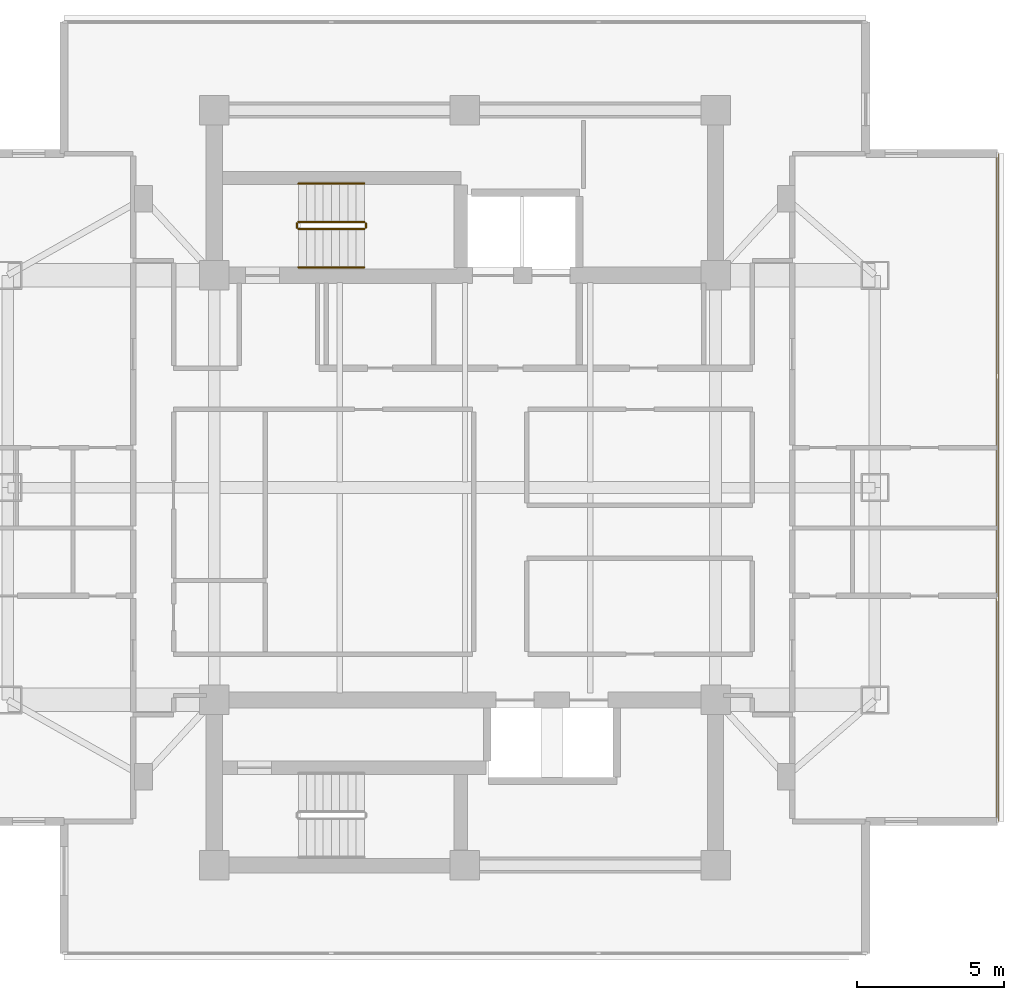
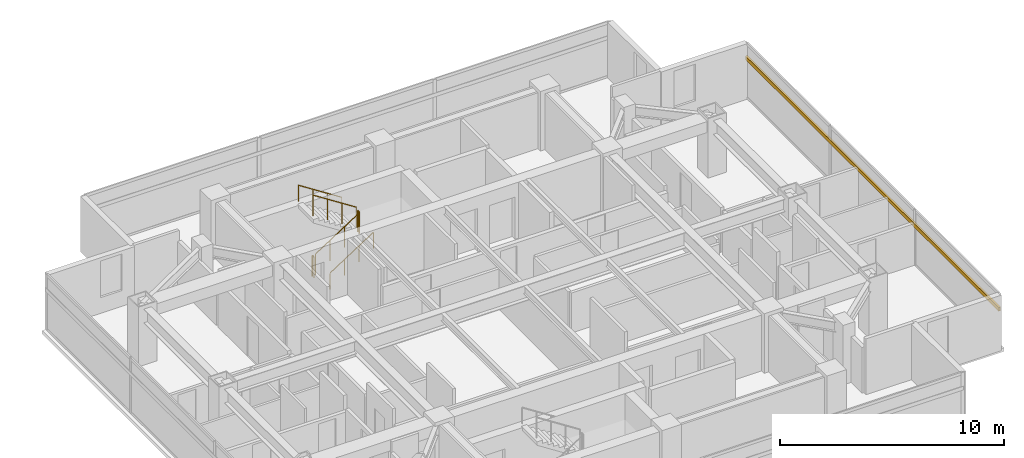
# One storey, part 24 of 25: 6 railings, 1 shading device.
"""IFC4 building model written with IfcOpenShell, lengths in metres."""

from ifc_helpers import new_model, si_unit, direction, frame, origin, origin_2d, place, context, subcontext, project, spatial, rectangle, circle, extrude, material, material_profile, profile_set, type_object, element, save


model = new_model("IFC4")

# Units and contexts
model_context = context("Model", 3, precision=1e-05, world=origin(), true_north=direction((0.0, 1.0)))
body_context = subcontext(model_context, "Body", "Model", "MODEL_VIEW")
ifc_project = project(units=[si_unit("LENGTHUNIT", "METRE"), si_unit("AREAUNIT", "SQUARE_METRE"), si_unit("VOLUMEUNIT", "CUBIC_METRE"), si_unit("PLANEANGLEUNIT", "RADIAN"), si_unit("MASSUNIT", "GRAM", prefix="KILO")], contexts=[model_context])

# Site, building, storey
site_placement = place(None, origin())
site = spatial("IfcSite", under=ifc_project, at=site_placement, CompositionType="ELEMENT")
building_placement = place(site_placement, origin())
building = spatial("IfcBuilding", under=site, at=building_placement, Name="Mirazonda Arch Towers", CompositionType="ELEMENT")
storey_placement = place(building_placement, frame((0.0, 0.0, 173.89990234375)))
storey = spatial("IfcBuildingStorey", under=building, at=storey_placement, Name="L49", CompositionType="ELEMENT", Elevation=173.89990234375)

# Shading device
ifc_material_1 = material(Name="Kiln-Fired Architectural Terracotta", Category="masonry")
ifc_material_profile = material_profile(ifc_material_1, rectangle(XDim=0.10009765625, YDim=0.199951171875, at=origin_2d()), Name="TERRA-BAG-100x200")
ifc_profile_set = profile_set([ifc_material_profile], Name="Kiln-Fired Architectural Terracotta")
shading_device_type = type_object("IfcShadingDeviceType", Name="BAGUETTE-2", PredefinedType="USERDEFINED", material=ifc_profile_set)
shading_device_placement = place(storey_placement, frame((94.560546875, 16.673828125, 2.181640625), z_axis=(0.0, 1.0, 0.0), x_axis=(-1.0, 0.0, 0.0)))
element("IfcShadingDevice", 1, at=shading_device_placement, inside=storey, type_object=shading_device_type, Name="L49 Glazed Terracotta Sun-Screen Baguette CW-L49-T2-E", ObjectType="BAGUETTE", PredefinedType="USERDEFINED", context=body_context, shape_type="SweptSolid", body=[
    extrude(rectangle(XDim=0.10009765625, YDim=0.199951171875, at=origin_2d()), origin(), (0.0, 0.0, 1.0), 22.65234375),
])

# Railings
ifc_material_2 = material(Name="Architectural Brushed Steel S355", Category="steel")
railing_type_1 = type_object("IfcRailingType", Name="GUARD-STAIR-1120", PredefinedType="GUARDRAIL", material=ifc_material_2)
railing_1_placement = place(storey_placement, frame((70.85009765625, 36.77001953125, 0.1806640625)))
element("IfcRailing", 2, at=railing_1_placement, inside=storey, type_object=railing_type_1, Name="L49 ST-T2N stair guard 1", PredefinedType="GUARDRAIL", context=body_context, shape_type="SweptSolid", body=[
    extrude(circle(Radius=0.02392578125, at=origin_2d()), frame((0.0, 0.0, 1.1259765625), z_axis=(0.840436612492, 0.0, 0.541909863706), x_axis=(0.0, 1.0, 0.0)), (0.0, 0.0, 1.0), 2.665283203125),
    extrude(circle(Radius=0.02099609375, at=origin_2d()), origin(), (0.0, 0.0, 1.0), 1.101806640625),
    extrude(circle(Radius=0.02099609375, at=origin_2d()), frame((0.74658203125, 0.0, 0.4814453125)), (0.0, 0.0, 1.0), 1.101806640625),
    extrude(circle(Radius=0.02099609375, at=origin_2d()), frame((1.493408203125, 0.0, 0.962890625)), (0.0, 0.0, 1.0), 1.101806640625),
    extrude(circle(Radius=0.02099609375, at=origin_2d()), frame((2.239990234375, 0.0, 1.4443359375)), (0.0, 0.0, 1.0), 1.101806640625),
])
railing_2_placement = place(storey_placement, frame((73.139892578125, 36.820068359375, 1.625)))
element("IfcRailing", 3, at=railing_2_placement, inside=storey, type_object=railing_type_1, Name="L49 ST-T2N stair guard 2", PredefinedType="GUARDRAIL", context=body_context, shape_type="SweptSolid", body=[
    extrude(circle(Radius=0.02392578125, at=origin_2d()), frame((0.0, 0.0, 1.1259765625), z_axis=(0.0, 1.0, 0.0), x_axis=(-1.0, 0.0, 0.0)), (0.0, 0.0, 1.0), 0.139892578125),
    extrude(circle(Radius=0.02099609375, at=origin_2d()), origin(), (0.0, 0.0, 1.0), 1.101806640625),
    extrude(circle(Radius=0.02099609375, at=origin_2d()), frame((0.0, 0.139892578125, 0.0)), (0.0, 0.0, 1.0), 1.101806640625),
])
railing_3_placement = place(storey_placement, frame((73.090087890625, 37.010009765625, 1.8056640625)))
element("IfcRailing", 4, at=railing_3_placement, inside=storey, type_object=railing_type_1, Name="L49 ST-T2N stair guard 3", PredefinedType="GUARDRAIL", context=body_context, shape_type="SweptSolid", body=[
    extrude(circle(Radius=0.02392578125, at=origin_2d()), frame((0.0, 0.0, 1.1259765625), z_axis=(-0.840436612492, 0.0, 0.541909863706), x_axis=(0.0, -1.0, 0.0)), (0.0, 0.0, 1.0), 2.665283203125),
    extrude(circle(Radius=0.02099609375, at=origin_2d()), origin(), (0.0, 0.0, 1.0), 1.101806640625),
    extrude(circle(Radius=0.02099609375, at=origin_2d()), frame((-0.74658203125, 0.0, 0.4814453125)), (0.0, 0.0, 1.0), 1.101806640625),
    extrude(circle(Radius=0.02099609375, at=origin_2d()), frame((-1.493408203125, 0.0, 0.962890625)), (0.0, 0.0, 1.0), 1.101806640625),
    extrude(circle(Radius=0.02099609375, at=origin_2d()), frame((-2.239990234375, 0.0, 1.4443359375)), (0.0, 0.0, 1.0), 1.101806640625),
])
railing_4_placement = place(storey_placement, frame((70.800048828125, 36.820068359375, 0.0)))
element("IfcRailing", 5, at=railing_4_placement, inside=storey, type_object=railing_type_1, Name="L49 ST-T2N stair guard 4", PredefinedType="GUARDRAIL", context=body_context, shape_type="SweptSolid", body=[
    extrude(circle(Radius=0.02392578125, at=origin_2d()), frame((0.0, 0.0, 1.1259765625), z_axis=(0.0, 1.0, 0.0), x_axis=(-1.0, 0.0, 0.0)), (0.0, 0.0, 1.0), 0.139892578125),
    extrude(circle(Radius=0.02099609375, at=origin_2d()), origin(), (0.0, 0.0, 1.0), 1.101806640625),
    extrude(circle(Radius=0.02099609375, at=origin_2d()), frame((0.0, 0.139892578125, 0.0)), (0.0, 0.0, 1.0), 1.101806640625),
])
railing_type_2 = type_object("IfcRailingType", Name="HANDRAIL-915", PredefinedType="HANDRAIL", material=ifc_material_2)
railing_5_placement = place(storey_placement, frame((70.85009765625, 35.469970703125, 0.1806640625)))
element("IfcRailing", 6, at=railing_5_placement, inside=storey, type_object=railing_type_2, Name="L49 ST-T2N stair handrail 1", PredefinedType="HANDRAIL", context=body_context, shape_type="SweptSolid", body=[
    extrude(circle(Radius=0.02392578125, at=origin_2d()), frame((0.0, 0.0, 0.8759765625), z_axis=(0.840436612492, 0.0, 0.541909863706), x_axis=(0.0, 1.0, 0.0)), (0.0, 0.0, 1.0), 2.665283203125),
    extrude(circle(Radius=0.02099609375, at=origin_2d()), origin(), (0.0, 0.0, 1.0), 0.851806640625),
    extrude(circle(Radius=0.02099609375, at=origin_2d()), frame((0.74658203125, 0.0, 0.4814453125)), (0.0, 0.0, 1.0), 0.851806640625),
    extrude(circle(Radius=0.02099609375, at=origin_2d()), frame((1.493408203125, 0.0, 0.962890625)), (0.0, 0.0, 1.0), 0.851806640625),
    extrude(circle(Radius=0.02099609375, at=origin_2d()), frame((2.239990234375, 0.0, 1.4443359375)), (0.0, 0.0, 1.0), 0.851806640625),
])
railing_6_placement = place(storey_placement, frame((73.090087890625, 38.31005859375, 1.8056640625)))
element("IfcRailing", 7, at=railing_6_placement, inside=storey, type_object=railing_type_2, Name="L49 ST-T2N stair handrail 2", PredefinedType="HANDRAIL", context=body_context, shape_type="SweptSolid", body=[
    extrude(circle(Radius=0.02392578125, at=origin_2d()), frame((0.0, 0.0, 0.8759765625), z_axis=(-0.840436612492, 0.0, 0.541909863706), x_axis=(0.0, -1.0, 0.0)), (0.0, 0.0, 1.0), 2.665283203125),
    extrude(circle(Radius=0.02099609375, at=origin_2d()), origin(), (0.0, 0.0, 1.0), 0.851806640625),
    extrude(circle(Radius=0.02099609375, at=origin_2d()), frame((-0.74658203125, 0.0, 0.4814453125)), (0.0, 0.0, 1.0), 0.851806640625),
    extrude(circle(Radius=0.02099609375, at=origin_2d()), frame((-1.493408203125, 0.0, 0.962890625)), (0.0, 0.0, 1.0), 0.851806640625),
    extrude(circle(Radius=0.02099609375, at=origin_2d()), frame((-2.239990234375, 0.0, 1.4443359375)), (0.0, 0.0, 1.0), 0.851806640625),
])

save(model, "model.ifc")
